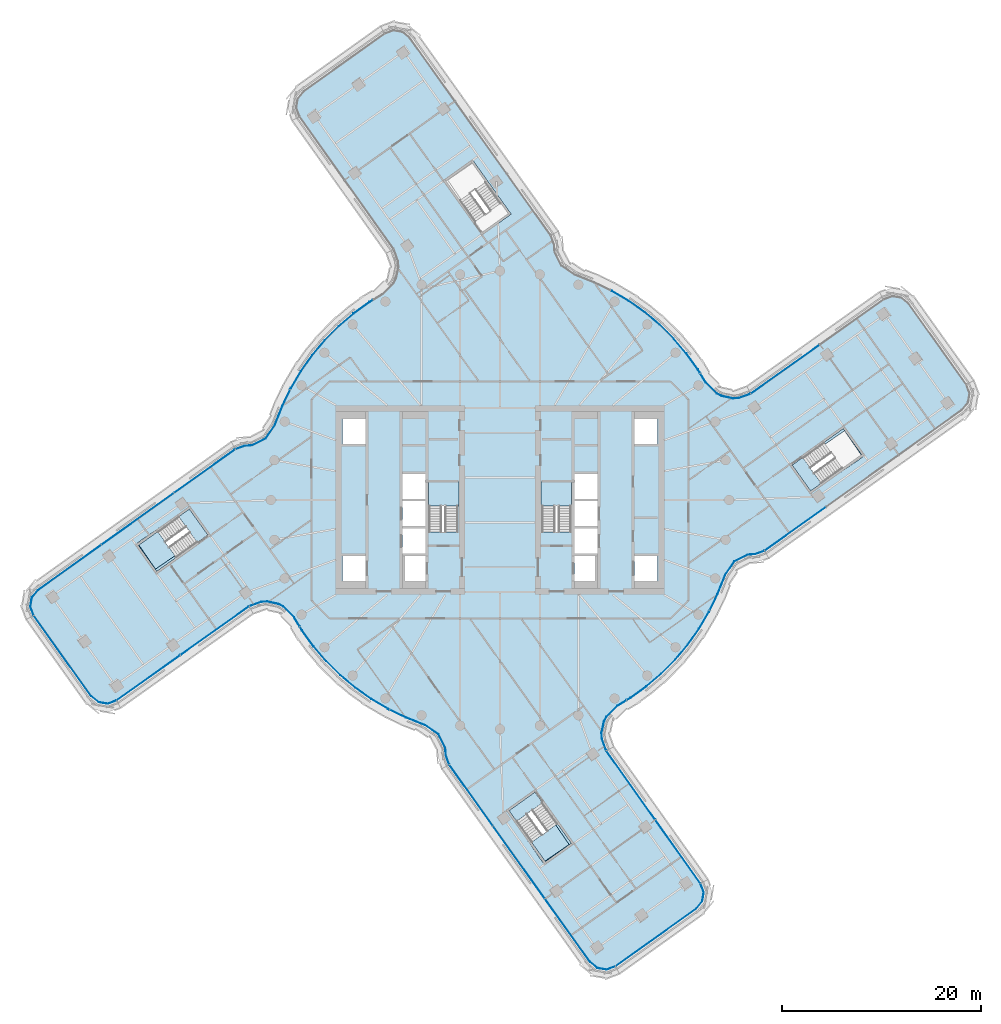
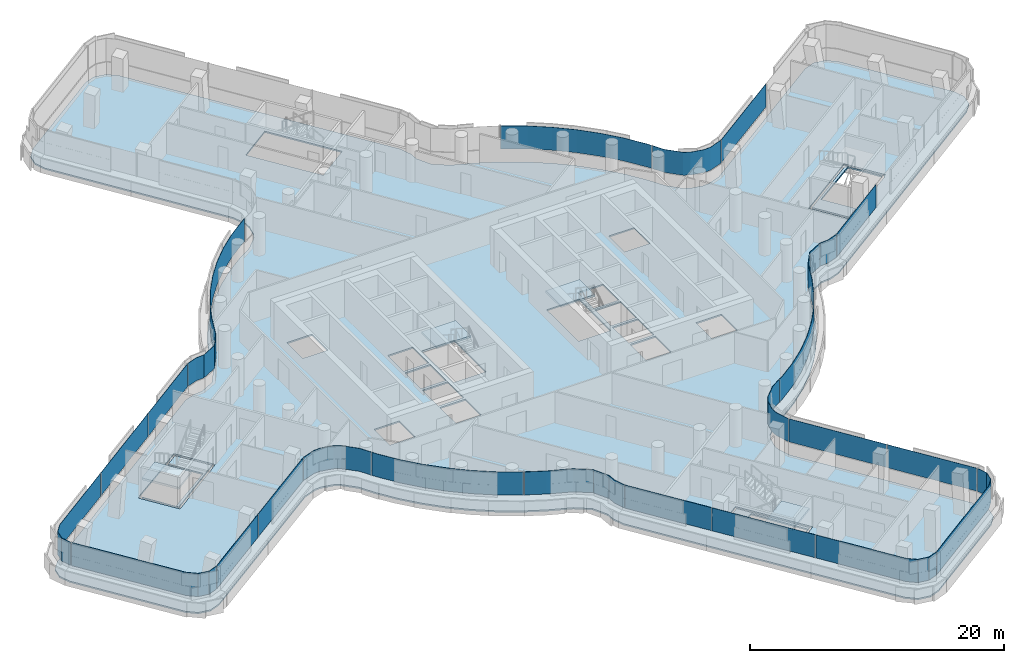
# One storey, part 17 of 31: 24 plates, 8 slabs, 16 elements without a shape of their own.
"""IFC4 building model written with IfcOpenShell, lengths in metres."""

from ifc_helpers import new_model, si_unit, direction, frame, origin, place, context, subcontext, project, spatial, polyline, outline, extrude, material, layer, layer_set, type_object, element, aggregate, save


model = new_model("IFC4")

# Units and contexts
model_context = context("Model", 3, precision=1e-05, world=origin(), true_north=direction((0.0, 1.0)))
body_context = subcontext(model_context, "Body", "Model", "MODEL_VIEW")
ifc_project = project(units=[si_unit("LENGTHUNIT", "METRE"), si_unit("AREAUNIT", "SQUARE_METRE"), si_unit("VOLUMEUNIT", "CUBIC_METRE"), si_unit("PLANEANGLEUNIT", "RADIAN"), si_unit("MASSUNIT", "GRAM", prefix="KILO")], contexts=[model_context])

# Site, building, storey
site_placement = place(None, origin())
site = spatial("IfcSite", under=ifc_project, at=site_placement, CompositionType="ELEMENT")
building_placement = place(site_placement, origin())
building = spatial("IfcBuilding", under=site, at=building_placement, Name="Tamarind Cross Interchange Tower", CompositionType="ELEMENT")
storey_placement = place(building_placement, frame((0.0, 0.0, 163.0)))
storey = spatial("IfcBuildingStorey", under=building, at=storey_placement, Name="L40", CompositionType="ELEMENT", Elevation=163.0)

# Slabs
ifc_material_1 = material(Name="Concrete C35", Category="concrete")
ifc_layer_1 = layer(ifc_material_1, 0.139892578125)
ifc_layer_set_1 = layer_set([ifc_layer_1], Name="Concrete C35")
slab_type_1 = type_object("IfcSlabType", Name="Composite slab 140 Concrete C35", PredefinedType="FLOOR", material=ifc_layer_set_1)
slab_1_placement = place(storey_placement, frame((0.0, 0.0, -0.139892578125)))
element("IfcSlab", 1, at=slab_1_placement, inside=storey, type_object=slab_type_1, Name="Floor slab L40", PredefinedType="FLOOR", context=body_context, shape_type="SweptSolid", body=[
    extrude(outline(polyline([(-5.63134765625, -25.662109375), (-5.264892578125, -26.6728515625), (8.90234375, -46.517578125), (9.701416015625, -47.17578125), (10.72265625, -47.34619140625), (11.692138671875, -46.983154296875), (19.8310546875, -41.1728515625), (20.4892578125, -40.373779296875), (20.65966796875, -39.3525390625), (20.296630859375, -38.383056640625), (10.8427734375, -25.07568359375), (10.431640625, -23.929931640625), (10.39501953125, -23.3974609375), (10.6162109375, -22.342529296875), (10.86376953125, -21.86962890625), (11.913818359375, -20.814697265625), (13.2109375, -20.031982421875), (14.820068359375, -18.87255859375), (16.327880859375, -17.584228515625), (17.72412109375, -16.17578125), (18.99951171875, -14.656982421875), (20.14501953125, -13.0380859375), (21.15283203125, -11.329833984375), (22.01611328125, -9.54443359375), (22.787841796875, -7.597412109375), (23.657470703125, -6.337158203125), (24.908935546875, -5.6884765625), (25.662109375, -5.63134765625), (26.6728515625, -5.264892578125), (46.517578125, 8.90234375), (47.17578125, 9.701416015625), (47.34619140625, 10.72265625), (46.983154296875, 11.692138671875), (41.1728515625, 19.8310546875), (40.373779296875, 20.4892578125), (39.3525390625, 20.65966796875), (38.383056640625, 20.296630859375), (25.07568359375, 10.8427734375), (23.929931640625, 10.431640625), (23.3974609375, 10.39501953125), (22.342529296875, 10.6162109375), (21.86962890625, 10.86376953125), (20.814697265625, 11.913818359375), (20.031982421875, 13.2109375), (18.87255859375, 14.820068359375), (17.584228515625, 16.327880859375), (16.17578125, 17.72412109375), (14.656982421875, 18.99951171875), (13.0380859375, 20.14501953125), (11.329833984375, 21.15283203125), (9.54443359375, 22.01611328125), (7.597412109375, 22.787841796875), (6.337158203125, 23.657470703125), (5.6884765625, 24.908935546875), (5.63134765625, 25.662109375), (5.264892578125, 26.6728515625), (-8.90234375, 46.517578125), (-9.701416015625, 47.17578125), (-10.72265625, 47.34619140625), (-11.692138671875, 46.983154296875), (-19.8310546875, 41.1728515625), (-20.4892578125, 40.373779296875), (-20.65966796875, 39.3525390625), (-20.296630859375, 38.383056640625), (-10.8427734375, 25.07568359375), (-10.431640625, 23.929931640625), (-10.39501953125, 23.3974609375), (-10.6162109375, 22.342529296875), (-10.86376953125, 21.86962890625), (-11.913818359375, 20.814697265625), (-13.2109375, 20.031982421875), (-14.820068359375, 18.87255859375), (-16.327880859375, 17.584228515625), (-17.72412109375, 16.17578125), (-18.99951171875, 14.656982421875), (-20.14501953125, 13.0380859375), (-21.15283203125, 11.329833984375), (-22.01611328125, 9.54443359375), (-22.787841796875, 7.597412109375), (-23.657470703125, 6.337158203125), (-24.908935546875, 5.6884765625), (-25.662109375, 5.63134765625), (-26.6728515625, 5.264892578125), (-46.517578125, -8.90234375), (-47.17578125, -9.701416015625), (-47.34619140625, -10.72265625), (-46.983154296875, -11.692138671875), (-41.1728515625, -19.8310546875), (-40.373779296875, -20.4892578125), (-39.3525390625, -20.65966796875), (-38.383056640625, -20.296630859375), (-25.07568359375, -10.8427734375), (-23.929931640625, -10.431640625), (-23.3974609375, -10.39501953125), (-22.342529296875, -10.6162109375), (-21.86962890625, -10.86376953125), (-20.814697265625, -11.913818359375), (-20.031982421875, -13.2109375), (-18.87255859375, -14.820068359375), (-17.584228515625, -16.327880859375), (-16.17578125, -17.72412109375), (-14.656982421875, -18.99951171875), (-13.0380859375, -20.14501953125), (-11.329833984375, -21.15283203125), (-9.54443359375, -22.01611328125), (-7.597412109375, -22.787841796875), (-6.337158203125, -23.657470703125), (-5.6884765625, -24.908935546875), (-5.63134765625, -25.662109375)]), holes=[polyline([(-7.5, -8.125), (-9.800048828125, -8.125), (-9.800048828125, -5.625), (-7.5, -5.625), (-7.5, -8.125)]), polyline([(-13.5, -8.125), (-15.800048828125, -8.125), (-15.800048828125, -5.625), (-13.5, -5.625), (-13.5, -8.125)]), polyline([(-34.49853515625, -7.4482421875), (-34.61474609375, -7.285400390625), (-36.47412109375, -4.68115234375), (-36.590087890625, -4.518310546875), (-36.358154296875, -4.352783203125), (-36.39208984375, -4.30322265625), (-33.680419921875, -2.44091796875), (-31.13720703125, -0.62548828125), (-31.02099609375, -0.7880859375), (-29.16162109375, -3.392578125), (-29.04541015625, -3.555419921875), (-34.49853515625, -7.4482421875)]), polyline([(-7.5, -5.375), (-9.800048828125, -5.375), (-9.800048828125, -2.875), (-7.5, -2.875), (-7.5, -5.375)]), polyline([(-7.5, -2.625), (-9.800048828125, -2.625), (-9.800048828125, -0.125), (-7.5, -0.125), (-7.5, -2.625)]), polyline([(-4.199951171875, 1.800048828125), (-4.199951171875, -3.18798828125), (-7.14990234375, -3.18798828125), (-7.14990234375, 1.800048828125), (-4.199951171875, 1.800048828125)]), polyline([(-7.5, 0.125), (-9.800048828125, 0.125), (-9.800048828125, 2.625), (-7.5, 2.625), (-7.5, 0.125)]), polyline([(-13.5, 5.625), (-15.800048828125, 5.625), (-15.800048828125, 8.125), (-13.5, 8.125), (-13.5, 5.625)]), polyline([(-1.812255859375, 26.60400390625), (-5.705078125, 32.056884765625), (-5.54248046875, 32.173095703125), (-2.93798828125, 34.032470703125), (-2.775146484375, 34.148681640625), (-2.609375, 33.916015625), (-2.60498046875, 33.919189453125), (-2.44091796875, 33.680419921875), (1.11767578125, 28.695556640625), (0.954833984375, 28.579345703125), (-1.6494140625, 26.72021484375), (-1.812255859375, 26.60400390625)]), polyline([(2.44091796875, -33.680419921875), (0.62548828125, -31.13720703125), (0.7880859375, -31.02099609375), (3.392578125, -29.16162109375), (3.555419921875, -29.04541015625), (7.4482421875, -34.49853515625), (7.285400390625, -34.61474609375), (4.68115234375, -36.47412109375), (4.518310546875, -36.590087890625), (4.352783203125, -36.358154296875), (4.30322265625, -36.39208984375), (2.44091796875, -33.680419921875)]), polyline([(13.5, -5.625), (15.800048828125, -5.625), (15.800048828125, -8.125), (13.5, -8.125), (13.5, -5.625)]), polyline([(7.5, -5.625), (9.800048828125, -5.625), (9.800048828125, -8.125), (7.5, -8.125), (7.5, -5.625)]), polyline([(7.5, -2.875), (9.800048828125, -2.875), (9.800048828125, -5.375), (7.5, -5.375), (7.5, -2.875)]), polyline([(7.5, -0.125), (9.800048828125, -0.125), (9.800048828125, -2.625), (7.5, -2.625), (7.5, -0.125)]), polyline([(7.14990234375, 1.800048828125), (7.14990234375, -3.18798828125), (4.199951171875, -3.18798828125), (4.199951171875, 1.800048828125), (7.14990234375, 1.800048828125)]), polyline([(7.5, 2.625), (9.800048828125, 2.625), (9.800048828125, 0.125), (7.5, 0.125), (7.5, 2.625)]), polyline([(31.13720703125, 0.62548828125), (31.02099609375, 0.7880859375), (29.16162109375, 3.392578125), (29.04541015625, 3.555419921875), (34.49853515625, 7.4482421875), (34.61474609375, 7.285400390625), (36.47412109375, 4.68115234375), (36.590087890625, 4.518310546875), (36.358154296875, 4.352783203125), (36.39208984375, 4.30322265625), (33.680419921875, 2.44091796875), (31.13720703125, 0.62548828125)]), polyline([(15.800048828125, 8.125), (15.800048828125, 5.625), (13.5, 5.625), (13.5, 8.125), (15.800048828125, 8.125)])]), origin(), (0.0, 0.0, 1.0), 0.139892578125),
])
slab_2_placement = place(storey_placement, frame((0.0, 0.0, -0.139892578125)))
element("IfcSlab", 2, at=slab_2_placement, inside=storey, type_object=slab_type_1, Name="Floor slab L40", PredefinedType="FLOOR", context=body_context, shape_type="SweptSolid", body=[
    extrude(outline(polyline([(-36.311279296875, -4.56494140625), (-34.451904296875, -7.169189453125), (-29.324462890625, -3.5087890625), (-31.183837890625, -0.904296875), (-32.1845703125, -1.618896484375), (-32.251708984375, -1.666748046875), (-30.4912109375, -4.1328125), (-34.58056640625, -6.941162109375), (-36.244873046875, -4.517578125), (-36.311279296875, -4.56494140625)])), origin(), (0.0, 0.0, 1.0), 0.139892578125),
])
slab_3_placement = place(storey_placement, frame((0.0, 0.0, -0.139892578125)))
element("IfcSlab", 3, at=slab_3_placement, inside=storey, type_object=slab_type_1, Name="Floor slab L40", PredefinedType="FLOOR", context=body_context, shape_type="SweptSolid", body=[
    extrude(outline(polyline([(3.5087890625, -29.324462890625), (0.904296875, -31.183837890625), (1.618896484375, -32.1845703125), (1.666748046875, -32.251708984375), (4.1328125, -30.4912109375), (6.941162109375, -34.58056640625), (4.517578125, -36.244873046875), (4.56494140625, -36.311279296875), (7.169189453125, -34.451904296875), (3.5087890625, -29.324462890625)])), origin(), (0.0, 0.0, 1.0), 0.139892578125),
])
slab_4_placement = place(storey_placement, frame((0.0, 0.0, -0.139892578125)))
element("IfcSlab", 4, at=slab_4_placement, inside=storey, type_object=slab_type_1, Name="Floor slab L40", PredefinedType="FLOOR", context=body_context, shape_type="SweptSolid", body=[
    extrude(outline(polyline([(34.58056640625, 6.941162109375), (36.244873046875, 4.517578125), (36.311279296875, 4.56494140625), (34.451904296875, 7.169189453125), (29.324462890625, 3.5087890625), (31.183837890625, 0.904296875), (32.1845703125, 1.618896484375), (32.251708984375, 1.666748046875), (30.4912109375, 4.1328125), (34.58056640625, 6.941162109375)])), origin(), (0.0, 0.0, 1.0), 0.139892578125),
])

# Stair, slab
ifc_material_2 = material(Name="Exit stair")
stair_type = type_object("IfcStairType", Name="Exit stair", PredefinedType="HALF_TURN_STAIR", material=ifc_material_2)
stair_1_placement = place(storey_placement, origin())
stair_1 = element("IfcStair", 5, at=stair_1_placement, inside=storey, type_object=stair_type, Name="L40 exit stair ST1", PredefinedType="HALF_TURN_STAIR")
ifc_material_3 = material(Name="Concrete C40", Category="concrete")
ifc_layer_2 = layer(ifc_material_3, 0.199951171875)
ifc_layer_set_2 = layer_set([ifc_layer_2], Name="Concrete C40")
slab_type_2 = type_object("IfcSlabType", Name="Stair landing", PredefinedType="LANDING", material=ifc_layer_set_2)
slab_5_placement = place(storey_placement, frame((0.0, 0.0, 1.675048828125)))
slab_5 = element("IfcSlab", 6, at=slab_5_placement, type_object=slab_type_2, Name="ST1 landing 1", PredefinedType="LANDING", context=body_context, shape_type="SweptSolid", body=[
    extrude(outline(polyline([(-4.10009765625, -0.60009765625), (-4.10009765625, 1.800048828125), (-7.199951171875, 1.800048828125), (-7.199951171875, -0.60009765625), (-4.10009765625, -0.60009765625)])), origin(), (0.0, 0.0, 1.0), 0.199951171875),
])
aggregate(stair_1, [slab_5])

stair_2_placement = place(storey_placement, origin())
stair_2 = element("IfcStair", 7, at=stair_2_placement, inside=storey, type_object=stair_type, Name="L40 exit stair ST2", PredefinedType="HALF_TURN_STAIR")
slab_6_placement = place(storey_placement, frame((0.0, 0.0, 1.675048828125)))
slab_6 = element("IfcSlab", 8, at=slab_6_placement, type_object=slab_type_2, Name="ST2 landing 1", PredefinedType="LANDING", context=body_context, shape_type="SweptSolid", body=[
    extrude(outline(polyline([(7.199951171875, -0.60009765625), (7.199951171875, 1.800048828125), (4.10009765625, 1.800048828125), (4.10009765625, -0.60009765625), (7.199951171875, -0.60009765625)])), origin(), (0.0, 0.0, 1.0), 0.199951171875),
])
aggregate(stair_2, [slab_6])

stair_3_placement = place(storey_placement, origin())
stair_3 = element("IfcStair", 9, at=stair_3_placement, inside=storey, type_object=stair_type, Name="L40 exit stair ST5", PredefinedType="HALF_TURN_STAIR")
slab_7_placement = place(storey_placement, frame((0.0, 0.0, 1.675048828125)))
slab_7 = element("IfcSlab", 10, at=slab_7_placement, type_object=slab_type_2, Name="ST5 landing 1", PredefinedType="LANDING", context=body_context, shape_type="SweptSolid", body=[
    extrude(outline(polyline([(-34.34814453125, -3.16357421875), (-36.311279296875, -4.56494140625), (-34.451904296875, -7.16943359375), (-32.48876953125, -5.767822265625), (-34.34814453125, -3.16357421875)])), origin(), (0.0, 0.0, 1.0), 0.199951171875),
])
aggregate(stair_3, [slab_7])

stair_4_placement = place(storey_placement, origin())
stair_4 = element("IfcStair", 11, at=stair_4_placement, inside=storey, type_object=stair_type, Name="L40 exit stair ST6", PredefinedType="HALF_TURN_STAIR")
slab_8_placement = place(storey_placement, frame((0.0, 0.0, 1.675048828125)))
slab_8 = element("IfcSlab", 12, at=slab_8_placement, type_object=slab_type_2, Name="ST6 landing 1", PredefinedType="LANDING", context=body_context, shape_type="SweptSolid", body=[
    extrude(outline(polyline([(3.16357421875, -34.34814453125), (4.56494140625, -36.311279296875), (7.16943359375, -34.451904296875), (5.767822265625, -32.48876953125), (3.16357421875, -34.34814453125)])), origin(), (0.0, 0.0, 1.0), 0.199951171875),
])
aggregate(stair_4, [slab_8])

# Curtain wall, plate
ifc_material_4 = material(Name="Aluminium 6063-T6", Category="aluminium")
ifc_layer_3 = layer(ifc_material_4, 0.159912109375)
ifc_layer_set_3 = layer_set([ifc_layer_3], Name="Aluminium 6063-T6")
curtain_wall_type = type_object("IfcCurtainWallType", Name="Office curtain wall, 9.0 m bays", PredefinedType="NOTDEFINED", material=ifc_layer_set_3)
curtain_wall_1_placement = place(storey_placement, origin())
curtain_wall_1 = element("IfcCurtainWall", 13, at=curtain_wall_1_placement, inside=storey, type_object=curtain_wall_type, Name="CWS-L40-00", PredefinedType="NOTDEFINED")
ifc_material_5 = material(Name="Laminated low-e glass 8+1.52+8", Category="glass")
ifc_layer_4 = layer(ifc_material_5, 0.028076171875)
ifc_layer_set_4 = layer_set([ifc_layer_4], Name="Laminated low-e glass 8+1.52+8")
plate_type = type_object("IfcPlateType", Name="Vision panel CW1", PredefinedType="CURTAIN_PANEL", material=ifc_layer_set_4)
plate_1_placement = place(storey_placement, frame((0.0, 0.0, 1.39990234375)))
plate_1 = element("IfcPlate", 14, at=plate_1_placement, type_object=plate_type, Name="CWP-L40-00-00", PredefinedType="CURTAIN_PANEL", context=body_context, shape_type="SweptSolid", body=[
    extrude(outline(polyline([(11.61376953125, -46.7763671875), (19.68359375, -41.01513671875), (20.28759765625, -40.281982421875), (20.439208984375, -39.3740234375), (20.115966796875, -38.510498046875), (20.14208984375, -38.500732421875), (20.468017578125, -39.37109375), (20.31396484375, -40.2939453125), (19.702880859375, -41.03564453125), (11.6298828125, -46.799072265625), (11.61376953125, -46.7763671875)])), origin(), (0.0, 0.0, 1.0), 2.210205078125),
])
aggregate(curtain_wall_1, [plate_1])

# Curtain wall, plates
curtain_wall_2_placement = place(storey_placement, origin())
curtain_wall_2 = element("IfcCurtainWall", 15, at=curtain_wall_2_placement, inside=storey, type_object=curtain_wall_type, Name="CWS-L40-01", PredefinedType="NOTDEFINED")
plate_2_placement = place(storey_placement, frame((0.0, 0.0, 1.39990234375)))
plate_2 = element("IfcPlate", 16, at=plate_2_placement, type_object=plate_type, Name="CWP-L40-01-00", PredefinedType="CURTAIN_PANEL", context=body_context, shape_type="SweptSolid", body=[
    extrude(outline(polyline([(20.08984375, -38.461181640625), (15.591064453125, -32.129150390625), (15.614013671875, -32.11279296875), (20.112548828125, -38.445068359375), (20.08984375, -38.461181640625)])), origin(), (0.0, 0.0, 1.0), 2.210205078125),
])
plate_3_placement = place(storey_placement, frame((0.0, 0.0, 1.39990234375)))
plate_3 = element("IfcPlate", 17, at=plate_3_placement, type_object=plate_type, Name="CWP-L40-01-01", PredefinedType="CURTAIN_PANEL", context=body_context, shape_type="SweptSolid", body=[
    extrude(outline(polyline([(15.556396484375, -32.080078125), (10.669677734375, -25.20166015625), (10.692626953125, -25.185546875), (15.5791015625, -32.06396484375), (15.556396484375, -32.080078125)])), origin(), (0.0, 0.0, 1.0), 2.210205078125),
])
aggregate(curtain_wall_2, [plate_2, plate_3])

curtain_wall_3_placement = place(storey_placement, origin())
curtain_wall_3 = element("IfcCurtainWall", 18, at=curtain_wall_3_placement, inside=storey, type_object=curtain_wall_type, Name="CWS-L40-02", PredefinedType="NOTDEFINED")
plate_4_placement = place(storey_placement, frame((0.0, 0.0, 1.39990234375)))
plate_4 = element("IfcPlate", 19, at=plate_4_placement, type_object=plate_type, Name="CWP-L40-02-00", PredefinedType="CURTAIN_PANEL", context=body_context, shape_type="SweptSolid", body=[
    extrude(outline(polyline([(10.640380859375, -25.145751953125), (10.22021484375, -23.974365234375), (10.179443359375, -23.382568359375), (10.412841796875, -22.26953125), (10.689208984375, -21.74169921875), (11.78076171875, -20.64501953125), (12.681884765625, -20.101318359375), (12.6962890625, -20.125244140625), (11.798095703125, -20.667236328125), (10.7119140625, -21.758544921875), (10.439453125, -22.279052734375), (10.20751953125, -23.384521484375), (10.247802734375, -23.968505859375), (10.666748046875, -25.13623046875), (10.640380859375, -25.145751953125)])), origin(), (0.0, 0.0, 1.0), 2.210205078125),
])
plate_5_placement = place(storey_placement, frame((0.0, 0.0, 1.39990234375)))
plate_5 = element("IfcPlate", 20, at=plate_5_placement, type_object=plate_type, Name="CWP-L40-02-01", PredefinedType="CURTAIN_PANEL", context=body_context, shape_type="SweptSolid", body=[
    extrude(outline(polyline([(12.7333984375, -20.0703125), (13.0927734375, -19.853271484375), (14.687744140625, -18.7041015625), (16.18212890625, -17.42724609375), (17.56591796875, -16.031494140625), (18.829833984375, -14.526123046875), (19.965087890625, -12.921630859375), (20.9638671875, -11.228759765625), (21.0283203125, -11.095458984375), (21.053466796875, -11.107666015625), (20.98876953125, -11.241943359375), (19.988525390625, -12.936767578125), (18.85205078125, -14.543212890625), (17.586669921875, -16.05029296875), (16.201171875, -17.44775390625), (14.705078125, -18.72607421875), (13.1083984375, -19.876708984375), (12.747802734375, -20.09423828125), (12.7333984375, -20.0703125)])), origin(), (0.0, 0.0, 1.0), 2.210205078125),
])
plate_6_placement = place(storey_placement, frame((0.0, 0.0, 1.39990234375)))
plate_6 = element("IfcPlate", 21, at=plate_6_placement, type_object=plate_type, Name="CWP-L40-02-02", PredefinedType="CURTAIN_PANEL", context=body_context, shape_type="SweptSolid", body=[
    extrude(outline(polyline([(21.054443359375, -11.04150390625), (21.820068359375, -9.458251953125), (22.597900390625, -7.495849609375), (23.511474609375, -6.171630859375), (24.84912109375, -5.478271484375), (25.61669921875, -5.420166015625), (26.546142578125, -5.083251953125), (26.5556640625, -5.109375), (25.622802734375, -5.44775390625), (24.85693359375, -5.505859375), (23.530517578125, -6.193359375), (22.622802734375, -7.509033203125), (21.845703125, -9.469482421875), (21.07958984375, -11.0537109375), (21.054443359375, -11.04150390625)])), origin(), (0.0, 0.0, 1.0), 2.210205078125),
])
aggregate(curtain_wall_3, [plate_4, plate_5, plate_6])

# Curtain wall, plate
curtain_wall_4_placement = place(storey_placement, origin())
curtain_wall_4 = element("IfcCurtainWall", 22, at=curtain_wall_4_placement, inside=storey, type_object=curtain_wall_type, Name="CWS-L40-03", PredefinedType="NOTDEFINED")
plate_7_placement = place(storey_placement, frame((0.0, 0.0, 1.39990234375)))
plate_7 = element("IfcPlate", 23, at=plate_7_placement, type_object=plate_type, Name="CWP-L40-03-00", PredefinedType="CURTAIN_PANEL", context=body_context, shape_type="SweptSolid", body=[
    extrude(outline(polyline([(26.59521484375, -5.05712890625), (32.682373046875, -0.711669921875), (32.69873046875, -0.734375), (26.611572265625, -5.080078125), (26.59521484375, -5.05712890625)])), origin(), (0.0, 0.0, 1.0), 2.210205078125),
])
aggregate(curtain_wall_4, [plate_7])

curtain_wall_5_placement = place(storey_placement, origin())
curtain_wall_5 = element("IfcCurtainWall", 24, at=curtain_wall_5_placement, inside=storey, type_object=curtain_wall_type, Name="CWS-L40-05", PredefinedType="NOTDEFINED")
plate_8_placement = place(storey_placement, frame((0.0, 0.0, 1.39990234375)))
plate_8 = element("IfcPlate", 25, at=plate_8_placement, type_object=plate_type, Name="CWP-L40-05-01", PredefinedType="CURTAIN_PANEL", context=body_context, shape_type="SweptSolid", body=[
    extrude(outline(polyline([(32.080078125, 15.556396484375), (25.20166015625, 10.669677734375), (25.185546875, 10.692626953125), (32.06396484375, 15.5791015625), (32.080078125, 15.556396484375)])), origin(), (0.0, 0.0, 1.0), 2.210205078125),
])
aggregate(curtain_wall_5, [plate_8])

# Curtain wall, plates
curtain_wall_6_placement = place(storey_placement, origin())
curtain_wall_6 = element("IfcCurtainWall", 26, at=curtain_wall_6_placement, inside=storey, type_object=curtain_wall_type, Name="CWS-L40-06", PredefinedType="NOTDEFINED")
plate_9_placement = place(storey_placement, frame((0.0, 0.0, 1.39990234375)))
plate_9 = element("IfcPlate", 27, at=plate_9_placement, type_object=plate_type, Name="CWP-L40-06-00", PredefinedType="CURTAIN_PANEL", context=body_context, shape_type="SweptSolid", body=[
    extrude(outline(polyline([(25.145751953125, 10.640380859375), (23.974365234375, 10.22021484375), (23.382568359375, 10.179443359375), (22.26953125, 10.412841796875), (21.74169921875, 10.689208984375), (20.64501953125, 11.78076171875), (20.101318359375, 12.681884765625), (20.125244140625, 12.6962890625), (20.667236328125, 11.798095703125), (21.758544921875, 10.7119140625), (22.279052734375, 10.439453125), (23.384521484375, 10.20751953125), (23.968505859375, 10.247802734375), (25.13623046875, 10.666748046875), (25.145751953125, 10.640380859375)])), origin(), (0.0, 0.0, 1.0), 2.210205078125),
])
plate_10_placement = place(storey_placement, frame((0.0, 0.0, 1.39990234375)))
plate_10 = element("IfcPlate", 28, at=plate_10_placement, type_object=plate_type, Name="CWP-L40-06-01", PredefinedType="CURTAIN_PANEL", context=body_context, shape_type="SweptSolid", body=[
    extrude(outline(polyline([(20.0703125, 12.7333984375), (19.853271484375, 13.0927734375), (18.7041015625, 14.687744140625), (17.42724609375, 16.18212890625), (16.031494140625, 17.56591796875), (14.526123046875, 18.829833984375), (12.921630859375, 19.965087890625), (11.228759765625, 20.9638671875), (11.095458984375, 21.0283203125), (11.107666015625, 21.053466796875), (11.241943359375, 20.98876953125), (12.936767578125, 19.988525390625), (14.543212890625, 18.85205078125), (16.05029296875, 17.586669921875), (17.44775390625, 16.201171875), (18.72607421875, 14.705078125), (19.876708984375, 13.1083984375), (20.09423828125, 12.747802734375), (20.0703125, 12.7333984375)])), origin(), (0.0, 0.0, 1.0), 2.210205078125),
])
aggregate(curtain_wall_6, [plate_9, plate_10])

curtain_wall_7_placement = place(storey_placement, origin())
curtain_wall_7 = element("IfcCurtainWall", 29, at=curtain_wall_7_placement, inside=storey, type_object=curtain_wall_type, Name="CWS-L40-10", PredefinedType="NOTDEFINED")
plate_11_placement = place(storey_placement, frame((0.0, 0.0, 1.39990234375)))
plate_11 = element("IfcPlate", 30, at=plate_11_placement, type_object=plate_type, Name="CWP-L40-10-01", PredefinedType="CURTAIN_PANEL", context=body_context, shape_type="SweptSolid", body=[
    extrude(outline(polyline([(-12.7333984375, 20.0703125), (-13.0927734375, 19.853271484375), (-14.687744140625, 18.7041015625), (-16.18212890625, 17.42724609375), (-17.56591796875, 16.031494140625), (-18.829833984375, 14.526123046875), (-19.965087890625, 12.921630859375), (-20.9638671875, 11.228759765625), (-21.0283203125, 11.095458984375), (-21.053466796875, 11.107666015625), (-20.98876953125, 11.241943359375), (-19.988525390625, 12.936767578125), (-18.85205078125, 14.543212890625), (-17.586669921875, 16.05029296875), (-16.201171875, 17.44775390625), (-14.705078125, 18.72607421875), (-13.1083984375, 19.876708984375), (-12.747802734375, 20.09423828125), (-12.7333984375, 20.0703125)])), origin(), (0.0, 0.0, 1.0), 2.210205078125),
])
plate_12_placement = place(storey_placement, frame((0.0, 0.0, 1.39990234375)))
plate_12 = element("IfcPlate", 31, at=plate_12_placement, type_object=plate_type, Name="CWP-L40-10-02", PredefinedType="CURTAIN_PANEL", context=body_context, shape_type="SweptSolid", body=[
    extrude(outline(polyline([(-21.054443359375, 11.04150390625), (-21.820068359375, 9.458251953125), (-22.597900390625, 7.495849609375), (-23.511474609375, 6.171630859375), (-24.84912109375, 5.478271484375), (-25.61669921875, 5.420166015625), (-26.546142578125, 5.083251953125), (-26.5556640625, 5.109375), (-25.622802734375, 5.44775390625), (-24.85693359375, 5.505859375), (-23.530517578125, 6.193359375), (-22.622802734375, 7.509033203125), (-21.845703125, 9.469482421875), (-21.07958984375, 11.0537109375), (-21.054443359375, 11.04150390625)])), origin(), (0.0, 0.0, 1.0), 2.210205078125),
])
aggregate(curtain_wall_7, [plate_11, plate_12])

curtain_wall_8_placement = place(storey_placement, origin())
curtain_wall_8 = element("IfcCurtainWall", 32, at=curtain_wall_8_placement, inside=storey, type_object=curtain_wall_type, Name="CWS-L40-11", PredefinedType="NOTDEFINED")
plate_13_placement = place(storey_placement, frame((0.0, 0.0, 1.39990234375)))
plate_13 = element("IfcPlate", 33, at=plate_13_placement, type_object=plate_type, Name="CWP-L40-11-00", PredefinedType="CURTAIN_PANEL", context=body_context, shape_type="SweptSolid", body=[
    extrude(outline(polyline([(-26.59521484375, 5.05712890625), (-32.682373046875, 0.711669921875), (-32.69873046875, 0.734375), (-26.611572265625, 5.080078125), (-26.59521484375, 5.05712890625)])), origin(), (0.0, 0.0, 1.0), 2.210205078125),
])
plate_14_placement = place(storey_placement, frame((0.0, 0.0, 1.39990234375)))
plate_14 = element("IfcPlate", 34, at=plate_14_placement, type_object=plate_type, Name="CWP-L40-11-01", PredefinedType="CURTAIN_PANEL", context=body_context, shape_type="SweptSolid", body=[
    extrude(outline(polyline([(-32.731201171875, 0.6767578125), (-39.9912109375, -4.506103515625), (-40.007568359375, -4.4833984375), (-32.74755859375, 0.699462890625), (-32.731201171875, 0.6767578125)])), origin(), (0.0, 0.0, 1.0), 2.210205078125),
])
plate_15_placement = place(storey_placement, frame((0.0, 0.0, 1.39990234375)))
plate_15 = element("IfcPlate", 35, at=plate_15_placement, type_object=plate_type, Name="CWP-L40-11-02", PredefinedType="CURTAIN_PANEL", context=body_context, shape_type="SweptSolid", body=[
    extrude(outline(polyline([(-40.0400390625, -4.541015625), (-46.3701171875, -9.06005859375), (-46.97412109375, -9.793212890625), (-47.12548828125, -10.701171875), (-46.802490234375, -11.564453125), (-46.82861328125, -11.57421875), (-47.154541015625, -10.7041015625), (-47.00048828125, -9.78125), (-46.389404296875, -9.03955078125), (-40.056396484375, -4.518310546875), (-40.0400390625, -4.541015625)])), origin(), (0.0, 0.0, 1.0), 2.210205078125),
])
aggregate(curtain_wall_8, [plate_13, plate_14, plate_15])

# Curtain wall, plate
curtain_wall_9_placement = place(storey_placement, origin())
curtain_wall_9 = element("IfcCurtainWall", 36, at=curtain_wall_9_placement, inside=storey, type_object=curtain_wall_type, Name="CWS-L40-12", PredefinedType="NOTDEFINED")
plate_16_placement = place(storey_placement, frame((0.0, 0.0, 1.39990234375)))
plate_16 = element("IfcPlate", 37, at=plate_16_placement, type_object=plate_type, Name="CWP-L40-12-00", PredefinedType="CURTAIN_PANEL", context=body_context, shape_type="SweptSolid", body=[
    extrude(outline(polyline([(-46.7763671875, -11.61376953125), (-41.01513671875, -19.68359375), (-40.281982421875, -20.28759765625), (-39.3740234375, -20.439208984375), (-38.510498046875, -20.115966796875), (-38.500732421875, -20.14208984375), (-39.37109375, -20.468017578125), (-40.2939453125, -20.31396484375), (-41.03564453125, -19.702880859375), (-46.799072265625, -11.6298828125), (-46.7763671875, -11.61376953125)])), origin(), (0.0, 0.0, 1.0), 2.210205078125),
])
aggregate(curtain_wall_9, [plate_16])

# Curtain wall, plates
curtain_wall_10_placement = place(storey_placement, origin())
curtain_wall_10 = element("IfcCurtainWall", 38, at=curtain_wall_10_placement, inside=storey, type_object=curtain_wall_type, Name="CWS-L40-13", PredefinedType="NOTDEFINED")
plate_17_placement = place(storey_placement, frame((0.0, 0.0, 1.39990234375)))
plate_17 = element("IfcPlate", 39, at=plate_17_placement, type_object=plate_type, Name="CWP-L40-13-00", PredefinedType="CURTAIN_PANEL", context=body_context, shape_type="SweptSolid", body=[
    extrude(outline(polyline([(-38.461181640625, -20.08984375), (-32.129150390625, -15.591064453125), (-32.11279296875, -15.614013671875), (-38.445068359375, -20.112548828125), (-38.461181640625, -20.08984375)])), origin(), (0.0, 0.0, 1.0), 2.210205078125),
])
plate_18_placement = place(storey_placement, frame((0.0, 0.0, 1.39990234375)))
plate_18 = element("IfcPlate", 40, at=plate_18_placement, type_object=plate_type, Name="CWP-L40-13-01", PredefinedType="CURTAIN_PANEL", context=body_context, shape_type="SweptSolid", body=[
    extrude(outline(polyline([(-32.080078125, -15.556396484375), (-25.20166015625, -10.669677734375), (-25.185546875, -10.692626953125), (-32.06396484375, -15.5791015625), (-32.080078125, -15.556396484375)])), origin(), (0.0, 0.0, 1.0), 2.210205078125),
])
aggregate(curtain_wall_10, [plate_17, plate_18])

curtain_wall_11_placement = place(storey_placement, origin())
curtain_wall_11 = element("IfcCurtainWall", 41, at=curtain_wall_11_placement, inside=storey, type_object=curtain_wall_type, Name="CWS-L40-14", PredefinedType="NOTDEFINED")
plate_19_placement = place(storey_placement, frame((0.0, 0.0, 1.39990234375)))
plate_19 = element("IfcPlate", 42, at=plate_19_placement, type_object=plate_type, Name="CWP-L40-14-00", PredefinedType="CURTAIN_PANEL", context=body_context, shape_type="SweptSolid", body=[
    extrude(outline(polyline([(-25.145751953125, -10.640380859375), (-23.974365234375, -10.22021484375), (-23.382568359375, -10.179443359375), (-22.26953125, -10.412841796875), (-21.74169921875, -10.689208984375), (-20.64501953125, -11.78076171875), (-20.101318359375, -12.681884765625), (-20.125244140625, -12.6962890625), (-20.667236328125, -11.798095703125), (-21.758544921875, -10.7119140625), (-22.279052734375, -10.439453125), (-23.384521484375, -10.20751953125), (-23.968505859375, -10.247802734375), (-25.13623046875, -10.666748046875), (-25.145751953125, -10.640380859375)])), origin(), (0.0, 0.0, 1.0), 2.210205078125),
])
plate_20_placement = place(storey_placement, frame((0.0, 0.0, 1.39990234375)))
plate_20 = element("IfcPlate", 43, at=plate_20_placement, type_object=plate_type, Name="CWP-L40-14-01", PredefinedType="CURTAIN_PANEL", context=body_context, shape_type="SweptSolid", body=[
    extrude(outline(polyline([(-20.0703125, -12.7333984375), (-19.853271484375, -13.0927734375), (-18.7041015625, -14.687744140625), (-17.42724609375, -16.18212890625), (-16.031494140625, -17.56591796875), (-14.526123046875, -18.829833984375), (-12.921630859375, -19.965087890625), (-11.228759765625, -20.9638671875), (-11.095458984375, -21.0283203125), (-11.107666015625, -21.053466796875), (-11.241943359375, -20.98876953125), (-12.936767578125, -19.988525390625), (-14.543212890625, -18.85205078125), (-16.05029296875, -17.586669921875), (-17.44775390625, -16.201171875), (-18.72607421875, -14.705078125), (-19.876708984375, -13.1083984375), (-20.09423828125, -12.747802734375), (-20.0703125, -12.7333984375)])), origin(), (0.0, 0.0, 1.0), 2.210205078125),
])
plate_21_placement = place(storey_placement, frame((0.0, 0.0, 1.39990234375)))
plate_21 = element("IfcPlate", 44, at=plate_21_placement, type_object=plate_type, Name="CWP-L40-14-02", PredefinedType="CURTAIN_PANEL", context=body_context, shape_type="SweptSolid", body=[
    extrude(outline(polyline([(-11.04150390625, -21.054443359375), (-9.458251953125, -21.820068359375), (-7.495849609375, -22.597900390625), (-6.171630859375, -23.511474609375), (-5.478271484375, -24.84912109375), (-5.420166015625, -25.61669921875), (-5.083251953125, -26.546142578125), (-5.109375, -26.5556640625), (-5.44775390625, -25.622802734375), (-5.505859375, -24.85693359375), (-6.193359375, -23.530517578125), (-7.509033203125, -22.622802734375), (-9.469482421875, -21.845703125), (-11.0537109375, -21.07958984375), (-11.04150390625, -21.054443359375)])), origin(), (0.0, 0.0, 1.0), 2.210205078125),
])
aggregate(curtain_wall_11, [plate_19, plate_20, plate_21])

curtain_wall_12_placement = place(storey_placement, origin())
curtain_wall_12 = element("IfcCurtainWall", 45, at=curtain_wall_12_placement, inside=storey, type_object=curtain_wall_type, Name="CWS-L40-15", PredefinedType="NOTDEFINED")
plate_22_placement = place(storey_placement, frame((0.0, 0.0, 1.39990234375)))
plate_22 = element("IfcPlate", 46, at=plate_22_placement, type_object=plate_type, Name="CWP-L40-15-00", PredefinedType="CURTAIN_PANEL", context=body_context, shape_type="SweptSolid", body=[
    extrude(outline(polyline([(-5.05712890625, -26.59521484375), (-0.711669921875, -32.682373046875), (-0.734375, -32.69873046875), (-5.080078125, -26.611572265625), (-5.05712890625, -26.59521484375)])), origin(), (0.0, 0.0, 1.0), 2.210205078125),
])
plate_23_placement = place(storey_placement, frame((0.0, 0.0, 1.39990234375)))
plate_23 = element("IfcPlate", 47, at=plate_23_placement, type_object=plate_type, Name="CWP-L40-15-01", PredefinedType="CURTAIN_PANEL", context=body_context, shape_type="SweptSolid", body=[
    extrude(outline(polyline([(-0.6767578125, -32.731201171875), (4.506103515625, -39.9912109375), (4.4833984375, -40.007568359375), (-0.699462890625, -32.74755859375), (-0.6767578125, -32.731201171875)])), origin(), (0.0, 0.0, 1.0), 2.210205078125),
])
plate_24_placement = place(storey_placement, frame((0.0, 0.0, 1.39990234375)))
plate_24 = element("IfcPlate", 48, at=plate_24_placement, type_object=plate_type, Name="CWP-L40-15-02", PredefinedType="CURTAIN_PANEL", context=body_context, shape_type="SweptSolid", body=[
    extrude(outline(polyline([(4.541015625, -40.0400390625), (9.06005859375, -46.3701171875), (9.793212890625, -46.97412109375), (10.701171875, -47.12548828125), (11.564453125, -46.802490234375), (11.57421875, -46.82861328125), (10.7041015625, -47.154541015625), (9.78125, -47.00048828125), (9.03955078125, -46.389404296875), (4.518310546875, -40.056396484375), (4.541015625, -40.0400390625)])), origin(), (0.0, 0.0, 1.0), 2.210205078125),
])
aggregate(curtain_wall_12, [plate_22, plate_23, plate_24])

save(model, "model.ifc")
